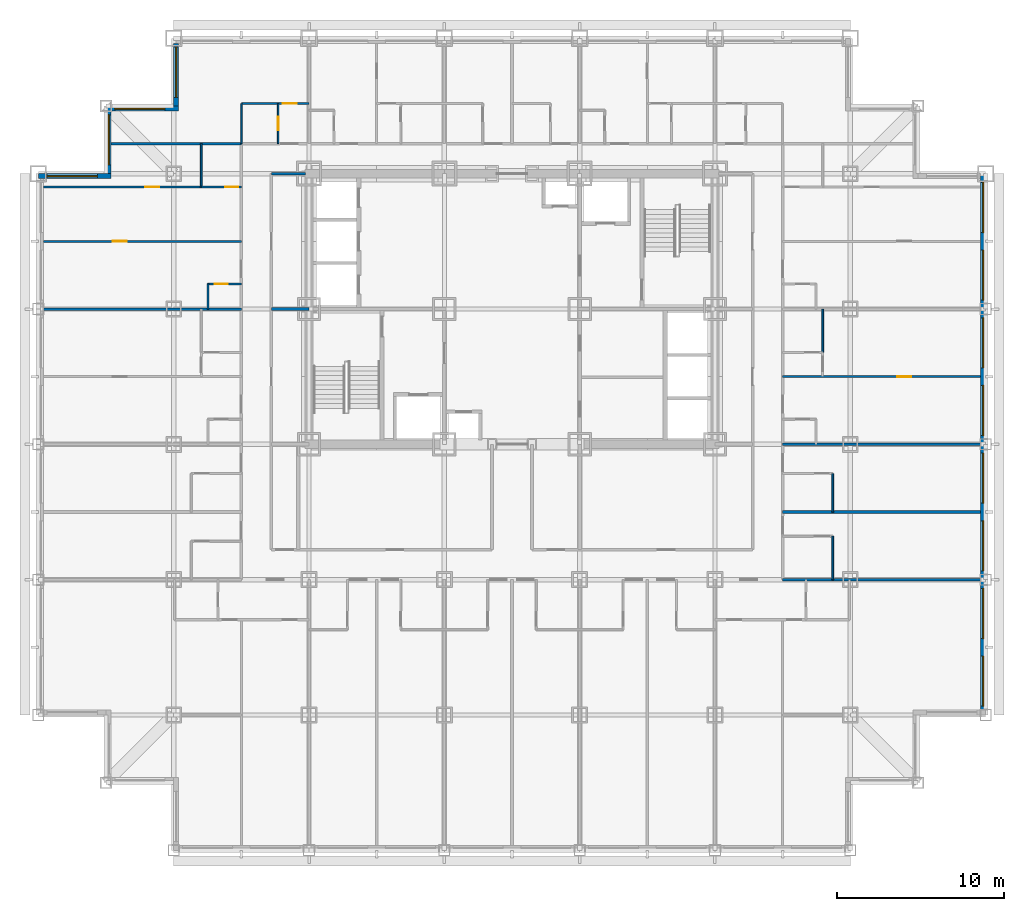
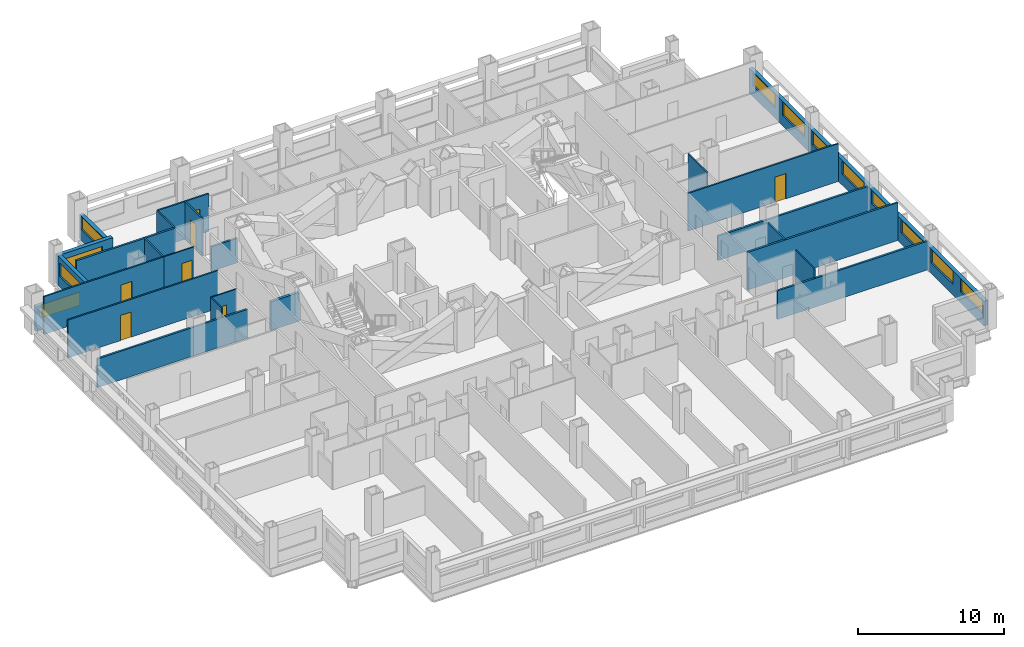
# One storey, part 8 of 12: 25 walls, 12 windows, 7 doors, 19 openings.
"""IFC4 building model written with IfcOpenShell, lengths in metres."""

from ifc_helpers import new_model, si_unit, direction, frame, frame_2d, origin, place, context, subcontext, project, spatial, rectangle, extrude, material, layer, layer_set, type_object, element, fill, save


model = new_model("IFC4")

# Units and contexts
model_context = context("Model", 3, precision=1e-05, world=origin(), true_north=direction((0.0, 1.0)))
body_context = subcontext(model_context, "Body", "Model", "MODEL_VIEW")
ifc_project = project(units=[si_unit("LENGTHUNIT", "METRE"), si_unit("AREAUNIT", "SQUARE_METRE"), si_unit("VOLUMEUNIT", "CUBIC_METRE"), si_unit("PLANEANGLEUNIT", "RADIAN"), si_unit("MASSUNIT", "GRAM", prefix="KILO")], contexts=[model_context])

# Site, building, storey
site_placement = place(None, origin())
site = spatial("IfcSite", under=ifc_project, at=site_placement, CompositionType="ELEMENT")
building_placement = place(site_placement, origin())
building = spatial("IfcBuilding", under=site, at=building_placement, Name="Kopane Lantern Tower", CompositionType="ELEMENT")
storey_placement = place(building_placement, frame((0.0, 0.0, 87.39990234375)))
storey = spatial("IfcBuildingStorey", under=building, at=storey_placement, Name="L22", CompositionType="ELEMENT", Elevation=87.39990234375)

# Wall, opening, door
ifc_material_1 = material(Name="Gypsum board on steel studs", Category="steel")
ifc_layer_1 = layer(ifc_material_1, 0.1201171875)
ifc_layer_set_1 = layer_set([ifc_layer_1], Name="APARTMENT INTERNAL WALL 120")
wall_type_1 = type_object("IfcWallType", Name="APARTMENT INTERNAL WALL 120", PredefinedType="PARTITIONING", material=ifc_layer_set_1)
wall_1_placement = place(storey_placement, frame((12.14990234375, 36.449951171875, 0.0), z_axis=(0.0, 0.0, 1.0), x_axis=(-1.0, 0.0, 0.0)))
wall_1 = element("IfcWall", 1, at=wall_1_placement, inside=storey, type_object=wall_type_1, Name="Apartment Internal Wall 120 L22", PredefinedType="PARTITIONING", context=body_context, shape_type="SweptSolid", body=[
    extrude(rectangle(XDim=11.849853515625, YDim=0.1201171875, at=frame_2d((5.9248046875, 0.0))), origin(), (0.0, 0.0, 1.0), 3.150146484375),
])
opening_1_placement = place(wall_1_placement, frame((6.85009765625, 0.0, 0.0)))
opening_1 = element("IfcOpeningElement", 2, at=opening_1_placement, cuts=wall_1, Name="Opening L22-044", PredefinedType="OPENING", context=body_context, shape_type="SweptSolid", body=[
    extrude(rectangle(XDim=0.85009765625, YDim=2.10009765625, at=frame_2d((0.425048828125, 1.050048828125))), frame((0.0, 0.070068359375, 0.0), z_axis=(0.0, -1.0, 0.0), x_axis=(1.0, 0.0, 0.0)), (0.0, 0.0, 1.0), 0.14013671875),
])
ifc_material_2 = material(Name="Timber door set", Category="wood")
door_type_1 = type_object("IfcDoorType", Name="DOOR D4 850x2100", OperationType="SINGLE_SWING_LEFT", PredefinedType="DOOR", material=ifc_material_2)
door_1_placement = place(opening_1_placement, origin())
door_1 = element("IfcDoor", 3, at=door_1_placement, inside=storey, type_object=door_type_1, Name="Door L22-044", OperationType="SINGLE_SWING_RIGHT", OverallHeight=2.10009765625, OverallWidth=0.85009765625, PredefinedType="DOOR", context=body_context, shape_type="SweptSolid", body=[
    extrude(rectangle(XDim=0.85009765625, YDim=2.10009765625, at=frame_2d((0.425048828125, 1.050048828125))), frame((0.0, 0.02490234375, 0.0), z_axis=(0.0, -1.0, 0.0), x_axis=(1.0, 0.0, 0.0)), (0.0, 0.0, 1.0), 0.050048828125),
])
fill(opening_1, door_1)

wall_2_placement = place(storey_placement, frame((44.550048828125, 28.35009765625, 0.0), z_axis=(0.0, 0.0, 1.0), x_axis=(1.0, 0.0, 0.0)))
wall_2 = element("IfcWall", 4, at=wall_2_placement, inside=storey, type_object=wall_type_1, Name="Apartment Internal Wall 120 L22", PredefinedType="PARTITIONING", context=body_context, shape_type="SweptSolid", body=[
    extrude(rectangle(XDim=11.849853515625, YDim=0.1201171875, at=frame_2d((5.9248046875, 0.0))), origin(), (0.0, 0.0, 1.0), 3.150146484375),
])
opening_2_placement = place(wall_2_placement, frame((6.85009765625, 0.0, 0.0)))
opening_2 = element("IfcOpeningElement", 5, at=opening_2_placement, cuts=wall_2, Name="Opening L22-052", PredefinedType="OPENING", context=body_context, shape_type="SweptSolid", body=[
    extrude(rectangle(XDim=0.85009765625, YDim=2.10009765625, at=frame_2d((0.425048828125, 1.050048828125))), frame((0.0, 0.070068359375, 0.0), z_axis=(0.0, -1.0, 0.0), x_axis=(1.0, 0.0, 0.0)), (0.0, 0.0, 1.0), 0.14013671875),
])
door_2_placement = place(opening_2_placement, origin())
door_2 = element("IfcDoor", 6, at=door_2_placement, inside=storey, type_object=door_type_1, Name="Door L22-052", OperationType="SINGLE_SWING_LEFT", OverallHeight=2.10009765625, OverallWidth=0.85009765625, PredefinedType="DOOR", context=body_context, shape_type="SweptSolid", body=[
    extrude(rectangle(XDim=0.85009765625, YDim=2.10009765625, at=frame_2d((0.425048828125, 1.050048828125))), frame((0.0, 0.02490234375, 0.0), z_axis=(0.0, -1.0, 0.0), x_axis=(1.0, 0.0, 0.0)), (0.0, 0.0, 1.0), 0.050048828125),
])
fill(opening_2, door_2)

wall_3_placement = place(storey_placement, frame((12.14990234375, 44.699951171875, 0.0), z_axis=(0.0, 0.0, 1.0), x_axis=(1.0, 0.0, 0.0)))
wall_3 = element("IfcWall", 7, at=wall_3_placement, inside=storey, type_object=wall_type_1, Name="Apartment Internal Wall 120 L22", PredefinedType="PARTITIONING", context=body_context, shape_type="SweptSolid", body=[
    extrude(rectangle(XDim=4.050048828125, YDim=0.1201171875, at=frame_2d((2.02490234375, 0.0))), origin(), (0.0, 0.0, 1.0), 3.150146484375),
])
opening_3_placement = place(wall_3_placement, frame((2.47509765625, 0.0, 0.0)))
opening_3 = element("IfcOpeningElement", 8, at=opening_3_placement, cuts=wall_3, Name="Opening L22-070", PredefinedType="OPENING", context=body_context, shape_type="SweptSolid", body=[
    extrude(rectangle(XDim=0.85009765625, YDim=2.10009765625, at=frame_2d((0.425048828125, 1.050048828125))), frame((0.0, 0.070068359375, 0.0), z_axis=(0.0, -1.0, 0.0), x_axis=(1.0, 0.0, 0.0)), (0.0, 0.0, 1.0), 0.14013671875),
])
door_3_placement = place(opening_3_placement, origin())
door_3 = element("IfcDoor", 9, at=door_3_placement, inside=storey, type_object=door_type_1, Name="Door L22-070", OperationType="SINGLE_SWING_LEFT", OverallHeight=2.10009765625, OverallWidth=0.85009765625, PredefinedType="DOOR", context=body_context, shape_type="SweptSolid", body=[
    extrude(rectangle(XDim=0.85009765625, YDim=2.10009765625, at=frame_2d((0.425048828125, 1.050048828125))), frame((0.0, 0.02490234375, 0.0), z_axis=(0.0, -1.0, 0.0), x_axis=(1.0, 0.0, 0.0)), (0.0, 0.0, 1.0), 0.050048828125),
])
fill(opening_3, door_3)

wall_4_placement = place(storey_placement, frame((9.760009765625, 39.699951171875, 0.0), z_axis=(0.0, 0.0, 1.0), x_axis=(-1.0, 0.0, 0.0)))
wall_4 = element("IfcWall", 10, at=wall_4_placement, inside=storey, type_object=wall_type_1, Name="Apartment Internal Wall 120 L22", PredefinedType="PARTITIONING", context=body_context, shape_type="SweptSolid", body=[
    extrude(rectangle(XDim=9.4599609375, YDim=0.1201171875, at=frame_2d((4.72998046875, 0.0))), origin(), (0.0, 0.0, 1.0), 3.150146484375),
])
opening_4_placement = place(wall_4_placement, frame((2.52490234375, 0.0, 0.0)))
opening_4 = element("IfcOpeningElement", 11, at=opening_4_placement, cuts=wall_4, Name="Opening L22-074", PredefinedType="OPENING", context=body_context, shape_type="SweptSolid", body=[
    extrude(rectangle(XDim=0.85009765625, YDim=2.0, at=frame_2d((0.425048828125, 1.0))), frame((0.0, 0.070068359375, 0.0), z_axis=(0.0, -1.0, 0.0), x_axis=(1.0, 0.0, 0.0)), (0.0, 0.0, 1.0), 0.14013671875),
])
ifc_material_3 = material(Name="Timber door set", Category="wood")
door_type_2 = type_object("IfcDoorType", Name="DOOR D12 850x2000 LOW HEAD", OperationType="SINGLE_SWING_LEFT", PredefinedType="DOOR", material=ifc_material_3)
door_4_placement = place(opening_4_placement, origin())
door_4 = element("IfcDoor", 12, at=door_4_placement, inside=storey, type_object=door_type_2, Name="Door L22-074", OperationType="SINGLE_SWING_RIGHT", OverallHeight=2.0, OverallWidth=0.85009765625, PredefinedType="DOOR", context=body_context, shape_type="SweptSolid", body=[
    extrude(rectangle(XDim=0.85009765625, YDim=2.0, at=frame_2d((0.425048828125, 1.0))), frame((0.0, 0.02490234375, 0.0), z_axis=(0.0, -1.0, 0.0), x_axis=(1.0, 0.0, 0.0)), (0.0, 0.0, 1.0), 0.050048828125),
])
fill(opening_4, door_4)

# Wall
ifc_material_4 = material(Name="Moisture-resistant board on steel studs", Category="steel")
ifc_layer_2 = layer(ifc_material_4, 0.10009765625)
ifc_layer_set_2 = layer_set([ifc_layer_2], Name="BATHROOM WALL 100")
wall_type_2 = type_object("IfcWallType", Name="BATHROOM WALL 100", PredefinedType="PARTITIONING", material=ifc_layer_set_2)
wall_5_placement = place(storey_placement, frame((10.14990234375, 32.39990234375, 0.0), z_axis=(0.0, 0.0, 1.0), x_axis=(0.0, 1.0, 0.0)))
element("IfcWall", 13, at=wall_5_placement, inside=storey, type_object=wall_type_2, Name="Bathroom Wall 100 L22", PredefinedType="PARTITIONING", context=body_context, shape_type="SweptSolid", body=[
    extrude(rectangle(XDim=1.5, YDim=0.10009765625, at=frame_2d((0.75, 0.0))), origin(), (0.0, 0.0, 1.0), 3.150146484375),
])

# Wall, opening, door
wall_6_placement = place(storey_placement, frame((12.14990234375, 33.89990234375, 0.0), z_axis=(0.0, 0.0, 1.0), x_axis=(-1.0, 0.0, 0.0)))
wall_6 = element("IfcWall", 14, at=wall_6_placement, inside=storey, type_object=wall_type_2, Name="Bathroom Wall 100 L22", PredefinedType="PARTITIONING", context=body_context, shape_type="SweptSolid", body=[
    extrude(rectangle(XDim=2.0, YDim=0.10009765625, at=frame_2d((1.0, 0.0))), origin(), (0.0, 0.0, 1.0), 3.150146484375),
])
opening_5_placement = place(wall_6_placement, frame((0.800048828125, 0.0, 0.0)))
opening_5 = element("IfcOpeningElement", 15, at=opening_5_placement, cuts=wall_6, Name="Opening L22-041", PredefinedType="OPENING", context=body_context, shape_type="SweptSolid", body=[
    extrude(rectangle(XDim=0.800048828125, YDim=2.10009765625, at=frame_2d((0.39990234375, 1.050048828125))), frame((0.0, 0.06005859375, 0.0), z_axis=(0.0, -1.0, 0.0), x_axis=(1.0, 0.0, 0.0)), (0.0, 0.0, 1.0), 0.1201171875),
])
ifc_material_5 = material(Name="Timber door set", Category="wood")
door_type_3 = type_object("IfcDoorType", Name="DOOR D2 800x2100", OperationType="SINGLE_SWING_LEFT", PredefinedType="DOOR", material=ifc_material_5)
door_5_placement = place(opening_5_placement, origin())
door_5 = element("IfcDoor", 16, at=door_5_placement, inside=storey, type_object=door_type_3, Name="Door L22-041", OperationType="SINGLE_SWING_RIGHT", OverallHeight=2.10009765625, OverallWidth=0.800048828125, PredefinedType="DOOR", context=body_context, shape_type="SweptSolid", body=[
    extrude(rectangle(XDim=0.800048828125, YDim=2.10009765625, at=frame_2d((0.39990234375, 1.050048828125))), frame((0.0, 0.02490234375, 0.0), z_axis=(0.0, -1.0, 0.0), x_axis=(1.0, 0.0, 0.0)), (0.0, 0.0, 1.0), 0.050048828125),
])
fill(opening_5, door_5)

# Wall
wall_7_placement = place(storey_placement, frame((9.75, 39.699951171875, 0.0), z_axis=(0.0, 0.0, 1.0), x_axis=(0.0, 1.0, 0.0)))
element("IfcWall", 17, at=wall_7_placement, inside=storey, type_object=wall_type_2, Name="Bathroom Wall 100 L22", PredefinedType="PARTITIONING", context=body_context, shape_type="SweptSolid", body=[
    extrude(rectangle(XDim=2.60009765625, YDim=0.10009765625, at=frame_2d((1.300048828125, 0.0))), origin(), (0.0, 0.0, 1.0), 3.150146484375),
])

# Wall, opening, door
wall_8_placement = place(storey_placement, frame((12.14990234375, 39.699951171875, 0.0), z_axis=(0.0, 0.0, 1.0), x_axis=(-1.0, 0.0, 0.0)))
wall_8 = element("IfcWall", 18, at=wall_8_placement, inside=storey, type_object=wall_type_2, Name="Bathroom Wall 100 L22", PredefinedType="PARTITIONING", context=body_context, shape_type="SweptSolid", body=[
    extrude(rectangle(XDim=2.39990234375, YDim=0.10009765625, at=frame_2d((1.199951171875, 0.0))), origin(), (0.0, 0.0, 1.0), 3.150146484375),
])
opening_6_placement = place(wall_8_placement, frame((0.175048828125, 0.0, 0.0)))
opening_6 = element("IfcOpeningElement", 19, at=opening_6_placement, cuts=wall_8, Name="Opening L22-043", PredefinedType="OPENING", context=body_context, shape_type="SweptSolid", body=[
    extrude(rectangle(XDim=0.800048828125, YDim=2.10009765625, at=frame_2d((0.39990234375, 1.050048828125))), frame((0.0, 0.06005859375, 0.0), z_axis=(0.0, -1.0, 0.0), x_axis=(1.0, 0.0, 0.0)), (0.0, 0.0, 1.0), 0.1201171875),
])
door_6_placement = place(opening_6_placement, origin())
door_6 = element("IfcDoor", 20, at=door_6_placement, inside=storey, type_object=door_type_3, Name="Door L22-043", OperationType="SINGLE_SWING_LEFT", OverallHeight=2.10009765625, OverallWidth=0.800048828125, PredefinedType="DOOR", context=body_context, shape_type="SweptSolid", body=[
    extrude(rectangle(XDim=0.800048828125, YDim=2.10009765625, at=frame_2d((0.39990234375, 1.050048828125))), frame((0.0, 0.02490234375, 0.0), z_axis=(0.0, -1.0, 0.0), x_axis=(1.0, 0.0, 0.0)), (0.0, 0.0, 1.0), 0.050048828125),
])
fill(opening_6, door_6)

# Walls
wall_9_placement = place(storey_placement, frame((47.550048828125, 16.199951171875, 0.0), z_axis=(0.0, 0.0, 1.0), x_axis=(0.0, 1.0, 0.0)))
element("IfcWall", 21, at=wall_9_placement, inside=storey, type_object=wall_type_2, Name="Bathroom Wall 100 L22", PredefinedType="PARTITIONING", context=body_context, shape_type="SweptSolid", body=[
    extrude(rectangle(XDim=2.60009765625, YDim=0.10009765625, at=frame_2d((1.300048828125, 0.0))), origin(), (0.0, 0.0, 1.0), 3.150146484375),
])
wall_10_placement = place(storey_placement, frame((47.550048828125, 20.25, 0.0), z_axis=(0.0, 0.0, 1.0), x_axis=(0.0, 1.0, 0.0)))
element("IfcWall", 22, at=wall_10_placement, inside=storey, type_object=wall_type_2, Name="Bathroom Wall 100 L22", PredefinedType="PARTITIONING", context=body_context, shape_type="SweptSolid", body=[
    extrude(rectangle(XDim=2.300048828125, YDim=0.10009765625, at=frame_2d((1.14990234375, 0.0))), origin(), (0.0, 0.0, 1.0), 3.150146484375),
])
wall_11_placement = place(storey_placement, frame((46.949951171875, 29.800048828125, 0.0), z_axis=(0.0, 0.0, 1.0), x_axis=(0.0, 1.0, 0.0)))
element("IfcWall", 23, at=wall_11_placement, inside=storey, type_object=wall_type_2, Name="Bathroom Wall 100 L22", PredefinedType="PARTITIONING", context=body_context, shape_type="SweptSolid", body=[
    extrude(rectangle(XDim=2.599853515625, YDim=0.10009765625, at=frame_2d((1.2998046875, 0.0))), origin(), (0.0, 0.0, 1.0), 3.150146484375),
])

# Wall, opening, door
wall_12_placement = place(storey_placement, frame((14.35009765625, 42.300048828125, 0.0), z_axis=(0.0, 0.0, 1.0), x_axis=(0.0, 1.0, 0.0)))
wall_12 = element("IfcWall", 24, at=wall_12_placement, inside=storey, type_object=wall_type_2, Name="Bathroom Wall 100 L22", PredefinedType="PARTITIONING", context=body_context, shape_type="SweptSolid", body=[
    extrude(rectangle(XDim=2.39990234375, YDim=0.10009765625, at=frame_2d((1.199951171875, 0.0))), origin(), (0.0, 0.0, 1.0), 3.150146484375),
])
opening_7_placement = place(wall_12_placement, frame((0.800048828125, 0.0, 0.0)))
opening_7 = element("IfcOpeningElement", 25, at=opening_7_placement, cuts=wall_12, Name="Opening L22-068", PredefinedType="OPENING", context=body_context, shape_type="SweptSolid", body=[
    extrude(rectangle(XDim=0.800048828125, YDim=2.10009765625, at=frame_2d((0.39990234375, 1.050048828125))), frame((0.0, 0.06005859375, 0.0), z_axis=(0.0, -1.0, 0.0), x_axis=(1.0, 0.0, 0.0)), (0.0, 0.0, 1.0), 0.1201171875),
])
door_7_placement = place(opening_7_placement, origin())
door_7 = element("IfcDoor", 26, at=door_7_placement, inside=storey, type_object=door_type_3, Name="Door L22-068", OperationType="SINGLE_SWING_LEFT", OverallHeight=2.10009765625, OverallWidth=0.800048828125, PredefinedType="DOOR", context=body_context, shape_type="SweptSolid", body=[
    extrude(rectangle(XDim=0.800048828125, YDim=2.10009765625, at=frame_2d((0.39990234375, 1.050048828125))), frame((0.0, 0.02490234375, 0.0), z_axis=(0.0, -1.0, 0.0), x_axis=(1.0, 0.0, 0.0)), (0.0, 0.0, 1.0), 0.050048828125),
])
fill(opening_7, door_7)

# Walls
wall_13_placement = place(storey_placement, frame((12.14990234375, 42.300048828125, 0.0), z_axis=(0.0, 0.0, 1.0), x_axis=(0.0, 1.0, 0.0)))
element("IfcWall", 27, at=wall_13_placement, inside=storey, type_object=wall_type_2, Name="Bathroom Wall 100 L22", PredefinedType="PARTITIONING", context=body_context, shape_type="SweptSolid", body=[
    extrude(rectangle(XDim=2.39990234375, YDim=0.10009765625, at=frame_2d((1.199951171875, 0.0))), origin(), (0.0, 0.0, 1.0), 3.150146484375),
])
ifc_material_6 = material(Name="Gypsum board on steel studs", Category="steel")
ifc_layer_3 = layer(ifc_material_6, 0.14990234375)
ifc_layer_set_3 = layer_set([ifc_layer_3], Name="CORRIDOR WALL 150 EI 60")
wall_type_3 = type_object("IfcWallType", Name="CORRIDOR WALL 150 EI 60", PredefinedType="PARTITIONING", material=ifc_layer_set_3)
wall_14_placement = place(storey_placement, frame((16.0, 40.5, 0.0), z_axis=(0.0, 0.0, 1.0), x_axis=(-1.0, 0.0, 0.0)))
element("IfcWall", 28, at=wall_14_placement, inside=storey, type_object=wall_type_3, Name="Corridor Wall 150 Ei 60 L22", PredefinedType="PARTITIONING", context=body_context, shape_type="SweptSolid", body=[
    extrude(rectangle(XDim=2.050048828125, YDim=0.14990234375, at=frame_2d((1.02490234375, 0.0))), origin(), (0.0, 0.0, 1.0), 2.050048828125),
])
ifc_material_7 = material(Name="Gypsum board on steel studs", Category="steel")
ifc_layer_4 = layer(ifc_material_7, 0.14990234375)
ifc_layer_set_4 = layer_set([ifc_layer_4], Name="DEMISING WALL 150 EI 60")
wall_type_4 = type_object("IfcWallType", Name="DEMISING WALL 150 EI 60", PredefinedType="PARTITIONING", material=ifc_layer_set_4)
wall_15_placement = place(storey_placement, frame((12.14990234375, 32.39990234375, 0.0), z_axis=(0.0, 0.0, 1.0), x_axis=(-1.0, 0.0, 0.0)))
element("IfcWall", 29, at=wall_15_placement, inside=storey, type_object=wall_type_4, Name="Demising Wall 150 Ei 60 L22", PredefinedType="PARTITIONING", context=body_context, shape_type="SweptSolid", body=[
    extrude(rectangle(XDim=11.849853515625, YDim=0.14990234375, at=frame_2d((5.9248046875, 0.0))), origin(), (0.0, 0.0, 1.0), 2.387939453125),
])
wall_16_placement = place(storey_placement, frame((44.550048828125, 20.25, 0.0), z_axis=(0.0, 0.0, 1.0), x_axis=(1.0, 0.0, 0.0)))
element("IfcWall", 30, at=wall_16_placement, inside=storey, type_object=wall_type_4, Name="Demising Wall 150 Ei 60 L22", PredefinedType="PARTITIONING", context=body_context, shape_type="SweptSolid", body=[
    extrude(rectangle(XDim=11.849853515625, YDim=0.14990234375, at=frame_2d((5.9248046875, 0.0))), origin(), (0.0, 0.0, 1.0), 3.150146484375),
])
wall_17_placement = place(storey_placement, frame((44.550048828125, 24.300048828125, 0.0), z_axis=(0.0, 0.0, 1.0), x_axis=(1.0, 0.0, 0.0)))
element("IfcWall", 31, at=wall_17_placement, inside=storey, type_object=wall_type_4, Name="Demising Wall 150 Ei 60 L22", PredefinedType="PARTITIONING", context=body_context, shape_type="SweptSolid", body=[
    extrude(rectangle(XDim=11.849853515625, YDim=0.14990234375, at=frame_2d((5.9248046875, 0.0))), origin(), (0.0, 0.0, 1.0), 2.050048828125),
])
wall_18_placement = place(storey_placement, frame((44.550048828125, 16.199951171875, 0.0), z_axis=(0.0, 0.0, 1.0), x_axis=(1.0, 0.0, 0.0)))
element("IfcWall", 32, at=wall_18_placement, inside=storey, type_object=wall_type_4, Name="Demising Wall 150 Ei 60 L22", PredefinedType="PARTITIONING", context=body_context, shape_type="SweptSolid", body=[
    extrude(rectangle(XDim=11.849853515625, YDim=0.14990234375, at=frame_2d((5.9248046875, 0.0))), origin(), (0.0, 0.0, 1.0), 2.387939453125),
])
wall_19_placement = place(storey_placement, frame((4.35009765625, 42.300048828125, 0.0), z_axis=(0.0, 0.0, 1.0), x_axis=(1.0, 0.0, 0.0)))
element("IfcWall", 33, at=wall_19_placement, inside=storey, type_object=wall_type_4, Name="Demising Wall 150 Ei 60 L22", PredefinedType="PARTITIONING", context=body_context, shape_type="SweptSolid", body=[
    extrude(rectangle(XDim=7.7998046875, YDim=0.14990234375, at=frame_2d((3.89990234375, 0.0))), origin(), (0.0, 0.0, 1.0), 3.150146484375),
])

# Wall, openings, windows
ifc_material_8 = material(Name="Terracotta rainscreen on light steel framing", Category="masonry")
ifc_layer_5 = layer(ifc_material_8, 0.300048828125)
ifc_layer_set_5 = layer_set([ifc_layer_5], Name="EXTERNAL WALL EW1 300 TERRACOTTA")
wall_type_5 = type_object("IfcWallType", Name="EXTERNAL WALL EW1 300 TERRACOTTA", PredefinedType="SOLIDWALL", material=ifc_layer_set_5)
wall_20_placement = place(storey_placement, frame((56.550048828125, 8.39990234375, 0.0), z_axis=(0.0, 0.0, 1.0), x_axis=(0.0, 1.0, 0.0)))
wall_20 = element("IfcWall", 34, at=wall_20_placement, inside=storey, type_object=wall_type_5, Name="External wall E L22", PredefinedType="SOLIDWALL", context=body_context, shape_type="SweptSolid", body=[
    extrude(rectangle(XDim=32.10009765625, YDim=0.300048828125, at=frame_2d((16.050048828125, 0.0))), origin(), (0.0, 0.0, 1.0), 2.050048828125),
])
opening_8_placement = place(wall_20_placement, frame((0.22509765625, 0.0, 0.89990234375)))
opening_8 = element("IfcOpeningElement", 35, at=opening_8_placement, cuts=wall_20, Name="Opening WR300110", PredefinedType="OPENING", context=body_context, shape_type="SweptSolid", body=[
    extrude(rectangle(XDim=3.0, YDim=1.10009765625, at=frame_2d((1.5, 0.550048828125))), frame((0.0, 0.159912109375, 0.0), z_axis=(0.0, -1.0, 0.0), x_axis=(1.0, 0.0, 0.0)), (0.0, 0.0, 1.0), 0.320068359375),
])
opening_9_placement = place(wall_20_placement, frame((4.27490234375, 0.0, 0.89990234375)))
opening_9 = element("IfcOpeningElement", 36, at=opening_9_placement, cuts=wall_20, Name="Opening WR300110", PredefinedType="OPENING", context=body_context, shape_type="SweptSolid", body=[
    extrude(rectangle(XDim=3.0, YDim=1.10009765625, at=frame_2d((1.5, 0.550048828125))), frame((0.0, 0.159912109375, 0.0), z_axis=(0.0, -1.0, 0.0), x_axis=(1.0, 0.0, 0.0)), (0.0, 0.0, 1.0), 0.320068359375),
])
opening_10_placement = place(wall_20_placement, frame((8.324951171875, 0.0, 0.89990234375)))
opening_10 = element("IfcOpeningElement", 37, at=opening_10_placement, cuts=wall_20, Name="Opening WR300110", PredefinedType="OPENING", context=body_context, shape_type="SweptSolid", body=[
    extrude(rectangle(XDim=3.0, YDim=1.10009765625, at=frame_2d((1.5, 0.550048828125))), frame((0.0, 0.159912109375, 0.0), z_axis=(0.0, -1.0, 0.0), x_axis=(1.0, 0.0, 0.0)), (0.0, 0.0, 1.0), 0.320068359375),
])
opening_11_placement = place(wall_20_placement, frame((12.375, 0.0, 0.89990234375)))
opening_11 = element("IfcOpeningElement", 38, at=opening_11_placement, cuts=wall_20, Name="Opening WR300110", PredefinedType="OPENING", context=body_context, shape_type="SweptSolid", body=[
    extrude(rectangle(XDim=3.0, YDim=1.10009765625, at=frame_2d((1.5, 0.550048828125))), frame((0.0, 0.159912109375, 0.0), z_axis=(0.0, -1.0, 0.0), x_axis=(1.0, 0.0, 0.0)), (0.0, 0.0, 1.0), 0.320068359375),
])
opening_12_placement = place(wall_20_placement, frame((16.425048828125, 0.0, 0.89990234375)))
opening_12 = element("IfcOpeningElement", 39, at=opening_12_placement, cuts=wall_20, Name="Opening WR300110", PredefinedType="OPENING", context=body_context, shape_type="SweptSolid", body=[
    extrude(rectangle(XDim=3.0, YDim=1.10009765625, at=frame_2d((1.5, 0.550048828125))), frame((0.0, 0.159912109375, 0.0), z_axis=(0.0, -1.0, 0.0), x_axis=(1.0, 0.0, 0.0)), (0.0, 0.0, 1.0), 0.320068359375),
])
opening_13_placement = place(wall_20_placement, frame((20.47509765625, 0.0, 0.89990234375)))
opening_13 = element("IfcOpeningElement", 40, at=opening_13_placement, cuts=wall_20, Name="Opening WR300110", PredefinedType="OPENING", context=body_context, shape_type="SweptSolid", body=[
    extrude(rectangle(XDim=3.0, YDim=1.10009765625, at=frame_2d((1.5, 0.550048828125))), frame((0.0, 0.159912109375, 0.0), z_axis=(0.0, -1.0, 0.0), x_axis=(1.0, 0.0, 0.0)), (0.0, 0.0, 1.0), 0.320068359375),
])
opening_14_placement = place(wall_20_placement, frame((24.52490234375, 0.0, 0.89990234375)))
opening_14 = element("IfcOpeningElement", 41, at=opening_14_placement, cuts=wall_20, Name="Opening WR300110", PredefinedType="OPENING", context=body_context, shape_type="SweptSolid", body=[
    extrude(rectangle(XDim=3.0, YDim=1.10009765625, at=frame_2d((1.5, 0.550048828125))), frame((0.0, 0.159912109375, 0.0), z_axis=(0.0, -1.0, 0.0), x_axis=(1.0, 0.0, 0.0)), (0.0, 0.0, 1.0), 0.320068359375),
])
opening_15_placement = place(wall_20_placement, frame((28.574951171875, 0.0, 0.89990234375)))
opening_15 = element("IfcOpeningElement", 42, at=opening_15_placement, cuts=wall_20, Name="Opening WR300110", PredefinedType="OPENING", context=body_context, shape_type="SweptSolid", body=[
    extrude(rectangle(XDim=3.0, YDim=1.10009765625, at=frame_2d((1.5, 0.550048828125))), frame((0.0, 0.159912109375, 0.0), z_axis=(0.0, -1.0, 0.0), x_axis=(1.0, 0.0, 0.0)), (0.0, 0.0, 1.0), 0.320068359375),
])
ifc_material_9 = material(Name="Aluminium and clear glass", Category="aluminium")
window_type = type_object("IfcWindowType", Name="RIBBON WINDOW WR300110 3000x1100", PartitioningType="SINGLE_PANEL", PredefinedType="WINDOW", material=ifc_material_9)
window_1_placement = place(opening_8_placement, origin())
window_1 = element("IfcWindow", 43, at=window_1_placement, inside=storey, type_object=window_type, Name="Window E L22", OverallHeight=1.10009765625, OverallWidth=3.0, PartitioningType="SINGLE_PANEL", PredefinedType="WINDOW", context=body_context, shape_type="SweptSolid", body=[
    extrude(rectangle(XDim=3.0, YDim=1.10009765625, at=frame_2d((1.5, 0.550048828125))), frame((0.0, 0.030029296875, 0.0), z_axis=(0.0, -1.0, 0.0), x_axis=(1.0, 0.0, 0.0)), (0.0, 0.0, 1.0), 0.06005859375),
])
fill(opening_8, window_1)
window_2_placement = place(opening_9_placement, origin())
window_2 = element("IfcWindow", 44, at=window_2_placement, inside=storey, type_object=window_type, Name="Window E L22", OverallHeight=1.10009765625, OverallWidth=3.0, PartitioningType="SINGLE_PANEL", PredefinedType="WINDOW", context=body_context, shape_type="SweptSolid", body=[
    extrude(rectangle(XDim=3.0, YDim=1.10009765625, at=frame_2d((1.5, 0.550048828125))), frame((0.0, 0.030029296875, 0.0), z_axis=(0.0, -1.0, 0.0), x_axis=(1.0, 0.0, 0.0)), (0.0, 0.0, 1.0), 0.06005859375),
])
fill(opening_9, window_2)
window_3_placement = place(opening_10_placement, origin())
window_3 = element("IfcWindow", 45, at=window_3_placement, inside=storey, type_object=window_type, Name="Window E L22", OverallHeight=1.10009765625, OverallWidth=3.0, PartitioningType="SINGLE_PANEL", PredefinedType="WINDOW", context=body_context, shape_type="SweptSolid", body=[
    extrude(rectangle(XDim=3.0, YDim=1.10009765625, at=frame_2d((1.5, 0.550048828125))), frame((0.0, 0.030029296875, 0.0), z_axis=(0.0, -1.0, 0.0), x_axis=(1.0, 0.0, 0.0)), (0.0, 0.0, 1.0), 0.06005859375),
])
fill(opening_10, window_3)
window_4_placement = place(opening_11_placement, origin())
window_4 = element("IfcWindow", 46, at=window_4_placement, inside=storey, type_object=window_type, Name="Window E L22", OverallHeight=1.10009765625, OverallWidth=3.0, PartitioningType="SINGLE_PANEL", PredefinedType="WINDOW", context=body_context, shape_type="SweptSolid", body=[
    extrude(rectangle(XDim=3.0, YDim=1.10009765625, at=frame_2d((1.5, 0.550048828125))), frame((0.0, 0.030029296875, 0.0), z_axis=(0.0, -1.0, 0.0), x_axis=(1.0, 0.0, 0.0)), (0.0, 0.0, 1.0), 0.06005859375),
])
fill(opening_11, window_4)
window_5_placement = place(opening_12_placement, origin())
window_5 = element("IfcWindow", 47, at=window_5_placement, inside=storey, type_object=window_type, Name="Window E L22", OverallHeight=1.10009765625, OverallWidth=3.0, PartitioningType="SINGLE_PANEL", PredefinedType="WINDOW", context=body_context, shape_type="SweptSolid", body=[
    extrude(rectangle(XDim=3.0, YDim=1.10009765625, at=frame_2d((1.5, 0.550048828125))), frame((0.0, 0.030029296875, 0.0), z_axis=(0.0, -1.0, 0.0), x_axis=(1.0, 0.0, 0.0)), (0.0, 0.0, 1.0), 0.06005859375),
])
fill(opening_12, window_5)
window_6_placement = place(opening_13_placement, origin())
window_6 = element("IfcWindow", 48, at=window_6_placement, inside=storey, type_object=window_type, Name="Window E L22", OverallHeight=1.10009765625, OverallWidth=3.0, PartitioningType="SINGLE_PANEL", PredefinedType="WINDOW", context=body_context, shape_type="SweptSolid", body=[
    extrude(rectangle(XDim=3.0, YDim=1.10009765625, at=frame_2d((1.5, 0.550048828125))), frame((0.0, 0.030029296875, 0.0), z_axis=(0.0, -1.0, 0.0), x_axis=(1.0, 0.0, 0.0)), (0.0, 0.0, 1.0), 0.06005859375),
])
fill(opening_13, window_6)
window_7_placement = place(opening_14_placement, origin())
window_7 = element("IfcWindow", 49, at=window_7_placement, inside=storey, type_object=window_type, Name="Window E L22", OverallHeight=1.10009765625, OverallWidth=3.0, PartitioningType="SINGLE_PANEL", PredefinedType="WINDOW", context=body_context, shape_type="SweptSolid", body=[
    extrude(rectangle(XDim=3.0, YDim=1.10009765625, at=frame_2d((1.5, 0.550048828125))), frame((0.0, 0.030029296875, 0.0), z_axis=(0.0, -1.0, 0.0), x_axis=(1.0, 0.0, 0.0)), (0.0, 0.0, 1.0), 0.06005859375),
])
fill(opening_14, window_7)
window_8_placement = place(opening_15_placement, origin())
window_8 = element("IfcWindow", 50, at=window_8_placement, inside=storey, type_object=window_type, Name="Window E L22", OverallHeight=1.10009765625, OverallWidth=3.0, PartitioningType="SINGLE_PANEL", PredefinedType="WINDOW", context=body_context, shape_type="SweptSolid", body=[
    extrude(rectangle(XDim=3.0, YDim=1.10009765625, at=frame_2d((1.5, 0.550048828125))), frame((0.0, 0.030029296875, 0.0), z_axis=(0.0, -1.0, 0.0), x_axis=(1.0, 0.0, 0.0)), (0.0, 0.0, 1.0), 0.06005859375),
])
fill(opening_15, window_8)

# Wall, opening, window
wall_21_placement = place(storey_placement, frame((8.25, 48.300048828125, 0.0), z_axis=(0.0, 0.0, 1.0), x_axis=(0.0, -1.0, 0.0)))
wall_21 = element("IfcWall", 51, at=wall_21_placement, inside=storey, type_object=wall_type_5, Name="External wall W L22", PredefinedType="SOLIDWALL", context=body_context, shape_type="SweptSolid", body=[
    extrude(rectangle(XDim=3.75, YDim=0.300048828125, at=frame_2d((1.875, 0.0))), origin(), (0.0, 0.0, 1.0), 2.050048828125),
])
opening_16_placement = place(wall_21_placement, frame((0.22509765625, 0.0, 0.89990234375)))
opening_16 = element("IfcOpeningElement", 52, at=opening_16_placement, cuts=wall_21, Name="Opening WR300110", PredefinedType="OPENING", context=body_context, shape_type="SweptSolid", body=[
    extrude(rectangle(XDim=3.0, YDim=1.10009765625, at=frame_2d((1.5, 0.550048828125))), frame((0.0, 0.159912109375, 0.0), z_axis=(0.0, -1.0, 0.0), x_axis=(1.0, 0.0, 0.0)), (0.0, 0.0, 1.0), 0.320068359375),
])
window_9_placement = place(opening_16_placement, origin())
window_9 = element("IfcWindow", 53, at=window_9_placement, inside=storey, type_object=window_type, Name="Window W L22", OverallHeight=1.10009765625, OverallWidth=3.0, PartitioningType="SINGLE_PANEL", PredefinedType="WINDOW", context=body_context, shape_type="SweptSolid", body=[
    extrude(rectangle(XDim=3.0, YDim=1.10009765625, at=frame_2d((1.5, 0.550048828125))), frame((0.0, 0.030029296875, 0.0), z_axis=(0.0, -1.0, 0.0), x_axis=(1.0, 0.0, 0.0)), (0.0, 0.0, 1.0), 0.06005859375),
])
fill(opening_16, window_9)

wall_22_placement = place(storey_placement, frame((8.39990234375, 44.39990234375, 0.0), z_axis=(0.0, 0.0, 1.0), x_axis=(-1.0, 0.0, 0.0)))
wall_22 = element("IfcWall", 54, at=wall_22_placement, inside=storey, type_object=wall_type_5, Name="External wall N L22", PredefinedType="SOLIDWALL", context=body_context, shape_type="SweptSolid", body=[
    extrude(rectangle(XDim=4.349853515625, YDim=0.300048828125, at=frame_2d((2.1748046875, 0.0))), origin(), (0.0, 0.0, 1.0), 2.4501953125),
])
opening_17_placement = place(wall_22_placement, frame((0.824951171875, 0.0, 0.89990234375)))
opening_17 = element("IfcOpeningElement", 55, at=opening_17_placement, cuts=wall_22, Name="Opening WR300110", PredefinedType="OPENING", context=body_context, shape_type="SweptSolid", body=[
    extrude(rectangle(XDim=3.0, YDim=1.10009765625, at=frame_2d((1.5, 0.550048828125))), frame((0.0, 0.159912109375, 0.0), z_axis=(0.0, -1.0, 0.0), x_axis=(1.0, 0.0, 0.0)), (0.0, 0.0, 1.0), 0.320068359375),
])
window_10_placement = place(opening_17_placement, origin())
window_10 = element("IfcWindow", 56, at=window_10_placement, inside=storey, type_object=window_type, Name="Window N L22", OverallHeight=1.10009765625, OverallWidth=3.0, PartitioningType="SINGLE_PANEL", PredefinedType="WINDOW", context=body_context, shape_type="SweptSolid", body=[
    extrude(rectangle(XDim=3.0, YDim=1.10009765625, at=frame_2d((1.5, 0.550048828125))), frame((0.0, 0.030029296875, 0.0), z_axis=(0.0, -1.0, 0.0), x_axis=(1.0, 0.0, 0.0)), (0.0, 0.0, 1.0), 0.06005859375),
])
fill(opening_17, window_10)

wall_23_placement = place(storey_placement, frame((4.199951171875, 44.25, 0.0), z_axis=(0.0, 0.0, 1.0), x_axis=(0.0, -1.0, 0.0)))
wall_23 = element("IfcWall", 57, at=wall_23_placement, inside=storey, type_object=wall_type_5, Name="External wall W L22", PredefinedType="SOLIDWALL", context=body_context, shape_type="SweptSolid", body=[
    extrude(rectangle(XDim=3.75, YDim=0.300048828125, at=frame_2d((1.875, 0.0))), origin(), (0.0, 0.0, 1.0), 2.4501953125),
])
opening_18_placement = place(wall_23_placement, frame((0.22509765625, 0.0, 0.89990234375)))
opening_18 = element("IfcOpeningElement", 58, at=opening_18_placement, cuts=wall_23, Name="Opening WR300110", PredefinedType="OPENING", context=body_context, shape_type="SweptSolid", body=[
    extrude(rectangle(XDim=3.0, YDim=1.10009765625, at=frame_2d((1.5, 0.550048828125))), frame((0.0, 0.159912109375, 0.0), z_axis=(0.0, -1.0, 0.0), x_axis=(1.0, 0.0, 0.0)), (0.0, 0.0, 1.0), 0.320068359375),
])
window_11_placement = place(opening_18_placement, origin())
window_11 = element("IfcWindow", 59, at=window_11_placement, inside=storey, type_object=window_type, Name="Window W L22", OverallHeight=1.10009765625, OverallWidth=3.0, PartitioningType="SINGLE_PANEL", PredefinedType="WINDOW", context=body_context, shape_type="SweptSolid", body=[
    extrude(rectangle(XDim=3.0, YDim=1.10009765625, at=frame_2d((1.5, 0.550048828125))), frame((0.0, 0.030029296875, 0.0), z_axis=(0.0, -1.0, 0.0), x_axis=(1.0, 0.0, 0.0)), (0.0, 0.0, 1.0), 0.06005859375),
])
fill(opening_18, window_11)

wall_24_placement = place(storey_placement, frame((4.35009765625, 40.35009765625, 0.0), z_axis=(0.0, 0.0, 1.0), x_axis=(-1.0, 0.0, 0.0)))
wall_24 = element("IfcWall", 60, at=wall_24_placement, inside=storey, type_object=wall_type_5, Name="External wall N L22", PredefinedType="SOLIDWALL", context=body_context, shape_type="SweptSolid", body=[
    extrude(rectangle(XDim=4.35009765625, YDim=0.300048828125, at=frame_2d((2.175048828125, 0.0))), origin(), (0.0, 0.0, 1.0), 2.050048828125),
])
opening_19_placement = place(wall_24_placement, frame((0.824951171875, 0.0, 0.89990234375)))
opening_19 = element("IfcOpeningElement", 61, at=opening_19_placement, cuts=wall_24, Name="Opening WR300110", PredefinedType="OPENING", context=body_context, shape_type="SweptSolid", body=[
    extrude(rectangle(XDim=3.0, YDim=1.10009765625, at=frame_2d((1.5, 0.550048828125))), frame((0.0, 0.159912109375, 0.0), z_axis=(0.0, -1.0, 0.0), x_axis=(1.0, 0.0, 0.0)), (0.0, 0.0, 1.0), 0.320068359375),
])
window_12_placement = place(opening_19_placement, origin())
window_12 = element("IfcWindow", 62, at=window_12_placement, inside=storey, type_object=window_type, Name="Window N L22", OverallHeight=1.10009765625, OverallWidth=3.0, PartitioningType="SINGLE_PANEL", PredefinedType="WINDOW", context=body_context, shape_type="SweptSolid", body=[
    extrude(rectangle(XDim=3.0, YDim=1.10009765625, at=frame_2d((1.5, 0.550048828125))), frame((0.0, 0.030029296875, 0.0), z_axis=(0.0, -1.0, 0.0), x_axis=(1.0, 0.0, 0.0)), (0.0, 0.0, 1.0), 0.06005859375),
])
fill(opening_19, window_12)

# Wall
ifc_material_10 = material(Name="Concrete masonry", Category="masonry")
ifc_layer_6 = layer(ifc_material_10, 0.199951171875)
ifc_layer_set_6 = layer_set([ifc_layer_6], Name="PLANT ROOM WALL 200 EI 120")
wall_type_6 = type_object("IfcWallType", Name="PLANT ROOM WALL 200 EI 120", PredefinedType="SOLIDWALL", material=ifc_layer_set_6)
wall_25_placement = place(storey_placement, frame((13.949951171875, 32.39990234375, 0.0), z_axis=(0.0, 0.0, 1.0), x_axis=(1.0, 0.0, 0.0)))
element("IfcWall", 63, at=wall_25_placement, inside=storey, type_object=wall_type_6, Name="Plant Room Wall 200 Ei 120 L22", PredefinedType="SOLIDWALL", context=body_context, shape_type="SweptSolid", body=[
    extrude(rectangle(XDim=2.25, YDim=0.199951171875, at=frame_2d((1.125, 0.0))), origin(), (0.0, 0.0, 1.0), 2.387939453125),
])

save(model, "model.ifc")
